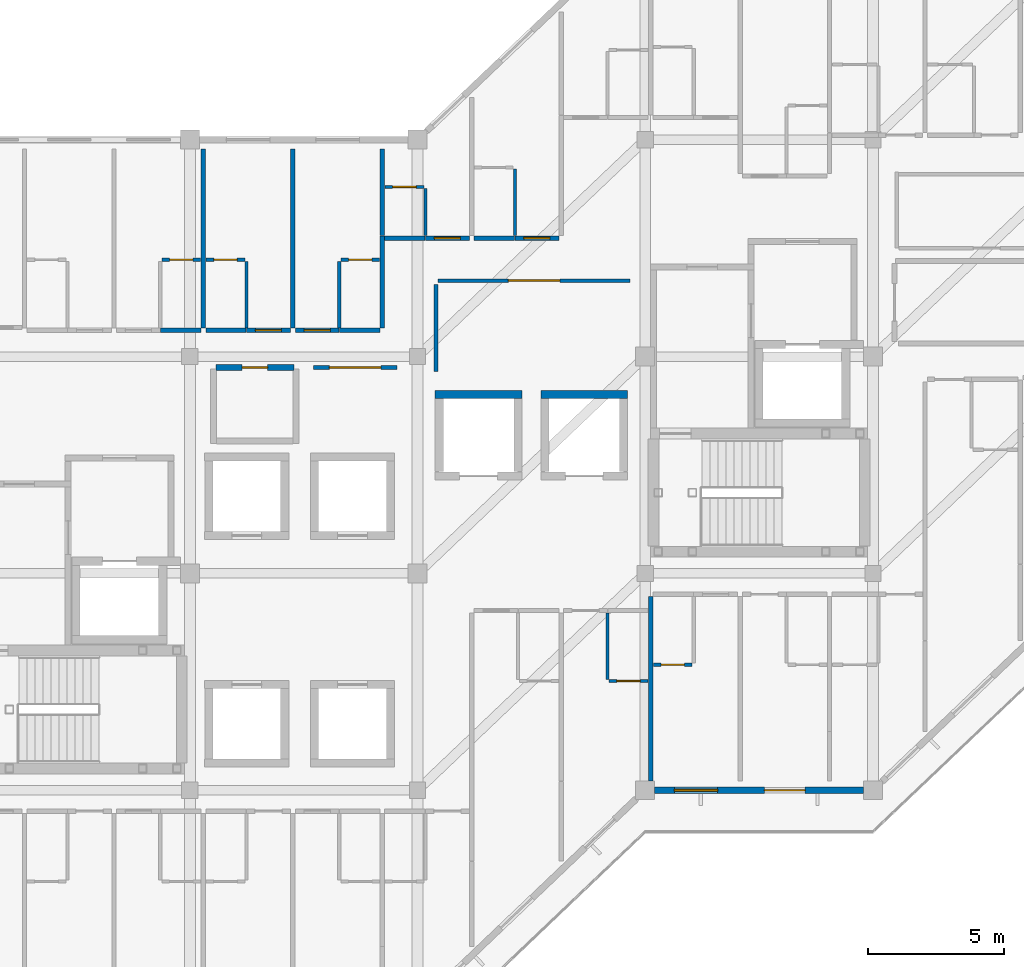
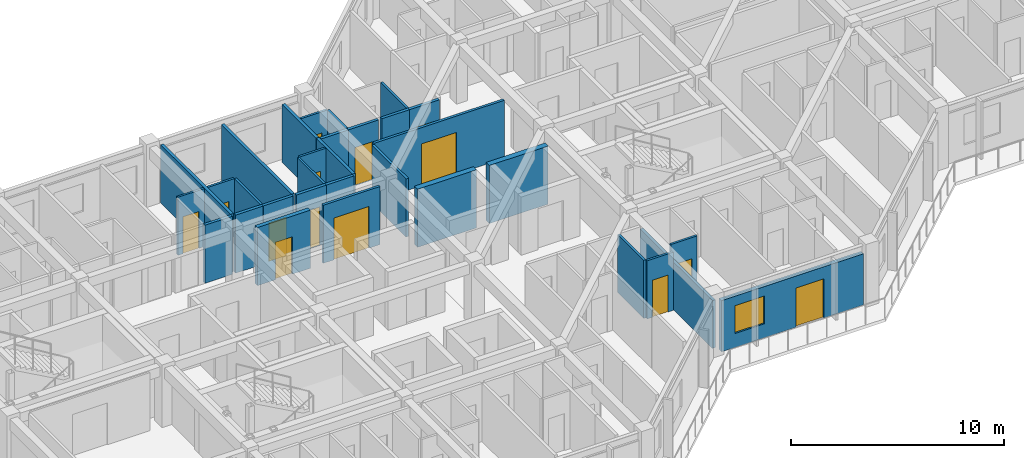
# One storey, part 8 of 15: 32 walls, 14 doors, 1 window, 15 openings.
"""IFC4 building model written with IfcOpenShell, lengths in metres."""

import ifcopenshell
import ifcopenshell.guid

model = None  # the IFC model being written
_history = None  # IfcOwnerHistory: only IFC2X3 demands one
_inside = {}  # id of a spatial element -> (the spatial element, [elements in it])
_under = {}  # id of a project, library or spatial element -> (it, [spatial elements below it])
_declared = {}  # id of a project -> (the project, [libraries it declares])
_typed = {}  # id of a type object -> (the type object, [elements of that type])
_made_of = {}  # id of a material, layer set ... -> (it, [elements and type objects made of it])


def new_model(schema):
    """Start an empty IFC model of exactly this schema.

    Asked for "IFC4X3", IfcOpenShell would pick the latest addendum, in which some entities
    have other attributes; the version numbers below select the first issue.
    IFC2X3 requires an IfcOwnerHistory on every rooted entity: one is made here for all.
    """
    global model, _history
    if schema == "IFC4X3":
        model = ifcopenshell.file(schema_version=(4, 3, 0, 0))
    else:
        model = ifcopenshell.file(schema=schema)
    _inside.clear()
    _under.clear()
    _declared.clear()
    _typed.clear()
    _made_of.clear()
    _history = None
    if model.schema == "IFC2X3":
        org = make("IfcOrganization", Name="unknown")
        user = make(
            "IfcPersonAndOrganization",
            ThePerson=make("IfcPerson", FamilyName="unknown"),
            TheOrganization=org,
        )
        app = make(
            "IfcApplication",
            ApplicationDeveloper=org,
            Version="unknown",
            ApplicationFullName="unknown",
            ApplicationIdentifier="unknown",
        )
        _history = make(
            "IfcOwnerHistory",
            OwningUser=user,
            OwningApplication=app,
            ChangeAction="ADDED",
            CreationDate=0,
        )
    return model


def make(cls, **values):
    """One entity of the class cls with the attributes given. An attribute that is None is left unset."""
    return model.create_entity(
        cls, **{name: value for name, value in values.items() if value is not None}
    )


def rooted(cls, **values):
    """An entity with a GlobalId (a new one), such as an element, a storey or a relation."""
    return make(cls, GlobalId=ifcopenshell.guid.new(), OwnerHistory=_history, **values)


def si_unit(unit_type, name, prefix=None):
    """IfcSIUnit, for example si_unit("LENGTHUNIT", "METRE", prefix="MILLI")."""
    return make("IfcSIUnit", UnitType=unit_type, Prefix=prefix, Name=name)


def assignment(units):
    """IfcUnitAssignment: the units of a project."""
    return None if units is None else make("IfcUnitAssignment", Units=units)


def point(xyz):
    """IfcCartesianPoint."""
    return None if xyz is None else make("IfcCartesianPoint", Coordinates=xyz)


def direction(xyz):
    """IfcDirection."""
    return None if xyz is None else make("IfcDirection", DirectionRatios=xyz)


def frame(location, z_axis=None, x_axis=None):
    """IfcAxis2Placement3D, a coordinate frame: its origin and axes. An axis left out is left unset."""
    return make(
        "IfcAxis2Placement3D",
        Location=point(location),
        Axis=direction(z_axis),
        RefDirection=direction(x_axis),
    )


def frame_2d(location, x_axis=None):
    """IfcAxis2Placement2D, a coordinate frame in the plane: its origin and x axis."""
    return make(
        "IfcAxis2Placement2D", Location=point(location), RefDirection=direction(x_axis)
    )


def origin():
    """The frame at (0, 0, 0) with its axes left unset."""
    return frame((0.0, 0.0, 0.0))


def place(relative_to, where):
    """IfcLocalPlacement: puts the frame where relative to a parent placement (None: the world)."""
    return make(
        "IfcLocalPlacement", PlacementRelTo=relative_to, RelativePlacement=where
    )


def context(
    kind, dimensions, precision=None, world=None, true_north=None, identifier=None
):
    """IfcGeometricRepresentationContext, for example the 3D "Model" context."""
    return make(
        "IfcGeometricRepresentationContext",
        ContextIdentifier=identifier,
        ContextType=kind,
        CoordinateSpaceDimension=dimensions,
        Precision=precision,
        WorldCoordinateSystem=world,
        TrueNorth=true_north,
    )


def subcontext(parent, identifier, kind, view, scale=None):
    """IfcGeometricRepresentationSubContext, for example "Body" below "Model"."""
    return make(
        "IfcGeometricRepresentationSubContext",
        ContextIdentifier=identifier,
        ContextType=kind,
        ParentContext=parent,
        TargetScale=scale,
        TargetView=view,
    )


def project(units=None, contexts=None):
    """IfcProject with its units and contexts."""
    return rooted(
        "IfcProject",
        Name="project",
        RepresentationContexts=contexts,
        UnitsInContext=assignment(units),
    )


def spatial(cls, under=None, at=None, **own):
    """A site, building, storey or space (cls), placed at a placement, below another one or the project."""
    s = rooted(cls, ObjectPlacement=at, **own)
    if under is not None:
        _under.setdefault(under.id(), (under, []))[1].append(s)
    return s


def profile(cls, at=None, kind="AREA", **sizes):
    """A parametric profile (cls). Its sizes go by their IFC names, for example OverallWidth=200.0."""
    return make(cls, ProfileType=kind, Position=at, **sizes)


def rectangle(**sizes):
    """IfcRectangleProfileDef."""
    return profile("IfcRectangleProfileDef", **sizes)


def extrude(swept, where, along, depth):
    """IfcExtrudedAreaSolid: the profile swept, set in the frame where, extruded along a direction by depth."""
    return make(
        "IfcExtrudedAreaSolid",
        SweptArea=swept,
        Position=where,
        ExtrudedDirection=direction(along),
        Depth=depth,
    )


def shape(context_of_items, identifier, shape_type, items):
    """IfcShapeRepresentation: the items that make up one representation, for example the "Body"."""
    return make(
        "IfcShapeRepresentation",
        ContextOfItems=context_of_items,
        RepresentationIdentifier=identifier,
        RepresentationType=shape_type,
        Items=items,
    )


def material(Name=None, Category=None):
    """IfcMaterial."""
    return make("IfcMaterial", Name=Name, Category=Category)


def layer(
    of_material, thickness, ventilated=None, Name=None, Category=None, Priority=None
):
    """IfcMaterialLayer: one layer of a wall or slab, of a material (None: an air gap)."""
    return make(
        "IfcMaterialLayer",
        Material=of_material,
        LayerThickness=thickness,
        IsVentilated=ventilated,
        Name=Name,
        Category=Category,
        Priority=Priority,
    )


def layer_set(layers, Name=None):
    """IfcMaterialLayerSet."""
    return make("IfcMaterialLayerSet", MaterialLayers=layers, LayerSetName=Name)


def made_of(thing, what):
    """Note that an element or type object is made of a material, layer set ...; save() writes the relation."""
    if what is not None:
        _made_of.setdefault(what.id(), (what, []))[1].append(thing)
    return thing


def type_object(cls, material=None, **own):
    """A type object (cls), such as IfcWallType, which elements share."""
    return made_of(rooted(cls, **own), material)


def element(
    cls,
    number,
    at=None,
    inside=None,
    cuts=None,
    type_object=None,
    material=None,
    context=None,
    identifier="Body",
    shape_type=None,
    held_by="IfcProductDefinitionShape",
    body=None,
    shapes=None,
    **own,
):
    """One element of the class cls, such as IfcWall. Its Tag is "e" and its number.

    at: its placement. inside: the storey or other place that contains it. cuts: it is an
    opening in that element (IfcRelVoidsElement). A single representation is given by context,
    identifier, shape_type and body (its items); several are given by shapes. held_by: the class
    of the entity that holds the representations. save() writes the other relations.
    """
    e = rooted(cls, Tag="e%d" % number, ObjectPlacement=at, **own)
    if body is not None:
        shapes = [shape(context, identifier, shape_type, body)]
    if shapes is not None:
        e.Representation = make(held_by, Representations=shapes)
    if inside is not None:
        _inside.setdefault(inside.id(), (inside, []))[1].append(e)
    if cuts is not None:
        rooted(
            "IfcRelVoidsElement", RelatingBuildingElement=cuts, RelatedOpeningElement=e
        )
    if type_object is not None:
        _typed.setdefault(type_object.id(), (type_object, []))[1].append(e)
    return made_of(e, material)


def fill(opening, filler):
    """IfcRelFillsElement: the door or window that sits in an opening."""
    return rooted(
        "IfcRelFillsElement",
        RelatingOpeningElement=opening,
        RelatedBuildingElement=filler,
    )


def aggregate(whole, parts):
    """IfcRelAggregates: a whole, such as a stair, and the parts it consists of."""
    return rooted("IfcRelAggregates", RelatingObject=whole, RelatedObjects=parts)


def save(model, path):
    """Write the relations noted so far, then the file.

    IfcRelAggregates (storeys below a building ...), IfcRelContainedInSpatialStructure (elements
    in a storey), IfcRelDefinesByType, IfcRelAssociatesMaterial and IfcRelDeclares: one each for
    every whole, place, type object, material and project.
    """
    for whole, parts in _under.values():
        aggregate(whole, parts)
    for where, things in _inside.values():
        rooted(
            "IfcRelContainedInSpatialStructure",
            RelatedElements=things,
            RelatingStructure=where,
        )
    for kind, things in _typed.values():
        rooted("IfcRelDefinesByType", RelatedObjects=things, RelatingType=kind)
    for what, things in _made_of.values():
        rooted("IfcRelAssociatesMaterial", RelatedObjects=things, RelatingMaterial=what)
    for by, libraries in _declared.values():
        rooted("IfcRelDeclares", RelatingContext=by, RelatedDefinitions=libraries)
    model.write(path)


model = new_model("IFC4")

# Units and contexts
model_context = context("Model", 3, precision=1e-05, world=origin(), true_north=direction((0.0, 1.0)))
body_context = subcontext(model_context, "Body", "Model", "MODEL_VIEW")
ifc_project = project(units=[si_unit("LENGTHUNIT", "METRE"), si_unit("AREAUNIT", "SQUARE_METRE"), si_unit("VOLUMEUNIT", "CUBIC_METRE"), si_unit("PLANEANGLEUNIT", "RADIAN"), si_unit("MASSUNIT", "GRAM", prefix="KILO")], contexts=[model_context])

# Site, building, storey
site_placement = place(None, origin())
site = spatial("IfcSite", under=ifc_project, at=site_placement, CompositionType="ELEMENT")
building_placement = place(site_placement, origin())
building = spatial("IfcBuilding", under=site, at=building_placement, Name="Naruveol Harbour Congress Hotel", CompositionType="ELEMENT")
storey_placement = place(building_placement, frame((0.0, 0.0, 32.39990234375)))
storey = spatial("IfcBuildingStorey", under=building, at=storey_placement, Name="L07", CompositionType="ELEMENT", Elevation=32.39990234375)

# Wall, opening, door
ifc_material_1 = material(Name="Acoustic Double Stud Gypsum", Category="gypsum")
ifc_layer_1 = layer(ifc_material_1, 0.139892578125)
ifc_layer_set_1 = layer_set([ifc_layer_1], Name="Acoustic Double Stud Gypsum")
wall_type_1 = type_object("IfcWallType", Name="ACOUSTIC MEETING PARTITION WALL 140", PredefinedType="PARTITIONING", material=ifc_layer_set_1)
wall_1_placement = place(storey_placement, frame((138.9599609375, 23.60009765625, 0.0), z_axis=(0.0, 0.0, 1.0), x_axis=(1.0, 0.0, 0.0)))
wall_1 = element("IfcWall", 1, at=wall_1_placement, inside=storey, type_object=wall_type_1, Name="Wellness Reading Salon north entry wall PW-140", PredefinedType="PARTITIONING", context=body_context, shape_type="SweptSolid", body=[
    extrude(rectangle(XDim=3.080078125, YDim=0.139892578125, at=frame_2d((1.5400390625, 0.0))), origin(), (0.0, 0.0, 1.0), 3.335205078125),
])
opening_1_placement = place(wall_1_placement, frame((0.590087890625, 0.0, 0.0)))
opening_1 = element("IfcOpeningElement", 2, at=opening_1_placement, cuts=wall_1, Name="Opening ID-LG-115", PredefinedType="OPENING", context=body_context, shape_type="SweptSolid", body=[
    extrude(rectangle(XDim=1.89990234375, YDim=2.39990234375, at=frame_2d((0.949951171875, 1.199951171875))), frame((0.0, 0.079833984375, 0.0), z_axis=(0.0, -1.0, 0.0), x_axis=(1.0, 0.0, 0.0)), (0.0, 0.0, 1.0), 0.159912109375),
])
ifc_material_2 = material(Name="Timber & Steel Acoustic Leaf", Category="steel")
door_type_1 = type_object("IfcDoorType", Name="RESTAURANT AND LOUNGE GLAZED DOOR 1900X2400", OperationType="DOUBLE_DOOR_SINGLE_SWING", PredefinedType="DOOR", material=ifc_material_2)
door_1_placement = place(opening_1_placement, origin())
door_1 = element("IfcDoor", 3, at=door_1_placement, inside=storey, type_object=door_type_1, Name="Wellness Reading Salon Entrance Door", OperationType="DOUBLE_DOOR_SINGLE_SWING", OverallHeight=2.39990234375, OverallWidth=1.89990234375, PredefinedType="DOOR", context=body_context, shape_type="SweptSolid", body=[
    extrude(rectangle(XDim=1.89990234375, YDim=2.39990234375, at=frame_2d((0.949951171875, 1.199951171875))), frame((0.0, 0.02490234375, 0.0), z_axis=(0.0, -1.0, 0.0), x_axis=(1.0, 0.0, 0.0)), (0.0, 0.0, 1.0), 0.050048828125),
])
fill(opening_1, door_1)

wall_2_placement = place(storey_placement, frame((143.56005859375, 26.800048828125, 0.0), z_axis=(0.0, 0.0, 1.0), x_axis=(1.0, 0.0, 0.0)))
wall_2 = element("IfcWall", 4, at=wall_2_placement, inside=storey, type_object=wall_type_1, Name="Harbour Study Salon north entry wall PW-140", PredefinedType="PARTITIONING", context=body_context, shape_type="SweptSolid", body=[
    extrude(rectangle(XDim=7.079833984375, YDim=0.139892578125, at=frame_2d((3.5400390625, 0.0))), origin(), (0.0, 0.0, 1.0), 3.335205078125),
])
opening_2_placement = place(wall_2_placement, frame((2.590087890625, 0.0, 0.0)))
opening_2 = element("IfcOpeningElement", 5, at=opening_2_placement, cuts=wall_2, Name="Opening ID-LG-120", PredefinedType="OPENING", context=body_context, shape_type="SweptSolid", body=[
    extrude(rectangle(XDim=1.89990234375, YDim=2.39990234375, at=frame_2d((0.949951171875, 1.199951171875))), frame((0.0, 0.079833984375, 0.0), z_axis=(0.0, -1.0, 0.0), x_axis=(1.0, 0.0, 0.0)), (0.0, 0.0, 1.0), 0.159912109375),
])
door_2_placement = place(opening_2_placement, origin())
door_2 = element("IfcDoor", 6, at=door_2_placement, inside=storey, type_object=door_type_1, Name="Harbour Study Salon Entrance Door", OperationType="DOUBLE_DOOR_SINGLE_SWING", OverallHeight=2.39990234375, OverallWidth=1.89990234375, PredefinedType="DOOR", context=body_context, shape_type="SweptSolid", body=[
    extrude(rectangle(XDim=1.89990234375, YDim=2.39990234375, at=frame_2d((0.949951171875, 1.199951171875))), frame((0.0, 0.02490234375, 0.0), z_axis=(0.0, -1.0, 0.0), x_axis=(1.0, 0.0, 0.0)), (0.0, 0.0, 1.0), 0.050048828125),
])
fill(opening_2, door_2)

# Wall
wall_3_placement = place(storey_placement, frame((143.47998046875, 23.449951171875, 0.0), z_axis=(0.0, 0.0, 1.0), x_axis=(0.0, 1.0, 0.0)))
element("IfcWall", 7, at=wall_3_placement, inside=storey, type_object=wall_type_1, Name="Harbour Study Salon west partition PW-140", PredefinedType="PARTITIONING", context=body_context, shape_type="SweptSolid", body=[
    extrude(rectangle(XDim=3.2099609375, YDim=0.139892578125, at=frame_2d((1.60498046875, 0.0))), origin(), (0.0, 0.0, 1.0), 3.335205078125),
])

# Wall, opening, door
ifc_material_3 = material(Name="Moisture-Resistant Gypsum Partition", Category="gypsum")
ifc_layer_2 = layer(ifc_material_3, 0.114990234375)
ifc_layer_set_2 = layer_set([ifc_layer_2], Name="Moisture-Resistant Gypsum Partition")
wall_type_2 = type_object("IfcWallType", Name="BATHROOM MOISTURE PARTITION WALL 115", PredefinedType="PARTITIONING", material=ifc_layer_set_2)
wall_4_placement = place(storey_placement, frame((133.3701171875, 27.570068359375, 0.0), z_axis=(0.0, 0.0, 1.0), x_axis=(1.0, 0.0, 0.0)))
wall_4 = element("IfcWall", 8, at=wall_4_placement, inside=storey, type_object=wall_type_2, Name="Bathroom north wall 0808 PW-115", PredefinedType="PARTITIONING", context=body_context, shape_type="SweptSolid", body=[
    extrude(rectangle(XDim=1.429931640625, YDim=0.114990234375, at=frame_2d((0.71484375, 0.0))), origin(), (0.0, 0.0, 1.0), 3.335205078125),
])
opening_3_placement = place(wall_4_placement, frame((0.284912109375, 0.0, 0.0)))
opening_3 = element("IfcOpeningElement", 9, at=opening_3_placement, cuts=wall_4, Name="Opening BD-RM0808", PredefinedType="OPENING", context=body_context, shape_type="SweptSolid", body=[
    extrude(rectangle(XDim=0.860107421875, YDim=2.1201171875, at=frame_2d((0.43017578125, 1.06005859375))), frame((0.0, 0.0673828125, 0.0), z_axis=(0.0, -1.0, 0.0), x_axis=(1.0, 0.0, 0.0)), (0.0, 0.0, 1.0), 0.135009765625),
])
ifc_material_4 = material(Name="Timber & Steel Acoustic Leaf", Category="steel")
door_type_2 = type_object("IfcDoorType", Name="GUEST BATHROOM DOOR 860X2120", OperationType="NOTDEFINED", PredefinedType="DOOR", material=ifc_material_4)
door_3_placement = place(opening_3_placement, origin())
door_3 = element("IfcDoor", 10, at=door_3_placement, inside=storey, type_object=door_type_2, Name="Bathroom Door 0808", OperationType="SINGLE_SWING_RIGHT", OverallHeight=2.1201171875, OverallWidth=0.860107421875, PredefinedType="DOOR", context=body_context, shape_type="SweptSolid", body=[
    extrude(rectangle(XDim=0.860107421875, YDim=2.1201171875, at=frame_2d((0.43017578125, 1.06005859375))), frame((0.0, 0.02490234375, 0.0), z_axis=(0.0, -1.0, 0.0), x_axis=(1.0, 0.0, 0.0)), (0.0, 0.0, 1.0), 0.050048828125),
])
fill(opening_3, door_3)

# Wall
wall_5_placement = place(storey_placement, frame((136.489990234375, 25.06005859375, 0.0), z_axis=(0.0, 0.0, 1.0), x_axis=(0.0, 1.0, 0.0)))
element("IfcWall", 11, at=wall_5_placement, inside=storey, type_object=wall_type_2, Name="Bathroom east wall 0809 PW-115", PredefinedType="PARTITIONING", context=body_context, shape_type="SweptSolid", body=[
    extrude(rectangle(XDim=2.449951171875, YDim=0.114990234375, at=frame_2d((1.22509765625, 0.0))), origin(), (0.0, 0.0, 1.0), 3.335205078125),
])

# Wall, opening, door
wall_6_placement = place(storey_placement, frame((135.0, 27.570068359375, 0.0), z_axis=(0.0, 0.0, 1.0), x_axis=(1.0, 0.0, 0.0)))
wall_6 = element("IfcWall", 12, at=wall_6_placement, inside=storey, type_object=wall_type_2, Name="Bathroom north wall 0809 PW-115", PredefinedType="PARTITIONING", context=body_context, shape_type="SweptSolid", body=[
    extrude(rectangle(XDim=1.429931640625, YDim=0.114990234375, at=frame_2d((0.71484375, 0.0))), origin(), (0.0, 0.0, 1.0), 3.335205078125),
])
opening_4_placement = place(wall_6_placement, frame((0.284912109375, 0.0, 0.0)))
opening_4 = element("IfcOpeningElement", 13, at=opening_4_placement, cuts=wall_6, Name="Opening BD-RM0809", PredefinedType="OPENING", context=body_context, shape_type="SweptSolid", body=[
    extrude(rectangle(XDim=0.860107421875, YDim=2.1201171875, at=frame_2d((0.43017578125, 1.06005859375))), frame((0.0, 0.0673828125, 0.0), z_axis=(0.0, -1.0, 0.0), x_axis=(1.0, 0.0, 0.0)), (0.0, 0.0, 1.0), 0.135009765625),
])
door_4_placement = place(opening_4_placement, origin())
door_4 = element("IfcDoor", 14, at=door_4_placement, inside=storey, type_object=door_type_2, Name="Bathroom Door 0809", OperationType="SINGLE_SWING_RIGHT", OverallHeight=2.1201171875, OverallWidth=0.860107421875, PredefinedType="DOOR", context=body_context, shape_type="SweptSolid", body=[
    extrude(rectangle(XDim=0.860107421875, YDim=2.1201171875, at=frame_2d((0.43017578125, 1.06005859375))), frame((0.0, 0.02490234375, 0.0), z_axis=(0.0, -1.0, 0.0), x_axis=(1.0, 0.0, 0.0)), (0.0, 0.0, 1.0), 0.050048828125),
])
fill(opening_4, door_4)

# Wall
wall_7_placement = place(storey_placement, frame((139.909912109375, 25.06005859375, 0.0), z_axis=(0.0, 0.0, 1.0), x_axis=(0.0, 1.0, 0.0)))
element("IfcWall", 15, at=wall_7_placement, inside=storey, type_object=wall_type_2, Name="Bathroom west wall 0810 PW-115", PredefinedType="PARTITIONING", context=body_context, shape_type="SweptSolid", body=[
    extrude(rectangle(XDim=2.449951171875, YDim=0.114990234375, at=frame_2d((1.22509765625, 0.0))), origin(), (0.0, 0.0, 1.0), 3.335205078125),
])

# Wall, opening, door
wall_8_placement = place(storey_placement, frame((139.969970703125, 27.570068359375, 0.0), z_axis=(0.0, 0.0, 1.0), x_axis=(1.0, 0.0, 0.0)))
wall_8 = element("IfcWall", 16, at=wall_8_placement, inside=storey, type_object=wall_type_2, Name="Bathroom north wall 0810 PW-115", PredefinedType="PARTITIONING", context=body_context, shape_type="SweptSolid", body=[
    extrude(rectangle(XDim=1.429931640625, YDim=0.114990234375, at=frame_2d((0.71484375, 0.0))), origin(), (0.0, 0.0, 1.0), 3.335205078125),
])
opening_5_placement = place(wall_8_placement, frame((0.284912109375, 0.0, 0.0)))
opening_5 = element("IfcOpeningElement", 17, at=opening_5_placement, cuts=wall_8, Name="Opening BD-RM0810", PredefinedType="OPENING", context=body_context, shape_type="SweptSolid", body=[
    extrude(rectangle(XDim=0.860107421875, YDim=2.1201171875, at=frame_2d((0.43017578125, 1.06005859375))), frame((0.0, 0.0673828125, 0.0), z_axis=(0.0, -1.0, 0.0), x_axis=(1.0, 0.0, 0.0)), (0.0, 0.0, 1.0), 0.135009765625),
])
door_5_placement = place(opening_5_placement, origin())
door_5 = element("IfcDoor", 18, at=door_5_placement, inside=storey, type_object=door_type_2, Name="Bathroom Door 0810", OperationType="SINGLE_SWING_RIGHT", OverallHeight=2.1201171875, OverallWidth=0.860107421875, PredefinedType="DOOR", context=body_context, shape_type="SweptSolid", body=[
    extrude(rectangle(XDim=0.860107421875, YDim=2.1201171875, at=frame_2d((0.43017578125, 1.06005859375))), frame((0.0, 0.02490234375, 0.0), z_axis=(0.0, -1.0, 0.0), x_axis=(1.0, 0.0, 0.0)), (0.0, 0.0, 1.0), 0.050048828125),
])
fill(opening_5, door_5)

# Wall
wall_9_placement = place(storey_placement, frame((143.090087890625, 28.4599609375, 0.0), z_axis=(0.0, 0.0, 1.0), x_axis=(0.0, 1.0, 0.0)))
element("IfcWall", 19, at=wall_9_placement, inside=storey, type_object=wall_type_2, Name="Bathroom east wall 0811 PW-115", PredefinedType="PARTITIONING", context=body_context, shape_type="SweptSolid", body=[
    extrude(rectangle(XDim=1.739990234375, YDim=0.114990234375, at=frame_2d((0.8701171875, 0.0))), origin(), (0.0, 0.0, 1.0), 3.335205078125),
])

# Wall, opening, door
wall_10_placement = place(storey_placement, frame((141.60009765625, 30.260009765625, 0.0), z_axis=(0.0, 0.0, 1.0), x_axis=(1.0, 0.0, 0.0)))
wall_10 = element("IfcWall", 20, at=wall_10_placement, inside=storey, type_object=wall_type_2, Name="Bathroom north wall 0811 PW-115", PredefinedType="PARTITIONING", context=body_context, shape_type="SweptSolid", body=[
    extrude(rectangle(XDim=1.429931640625, YDim=0.114990234375, at=frame_2d((0.71484375, 0.0))), origin(), (0.0, 0.0, 1.0), 3.335205078125),
])
opening_6_placement = place(wall_10_placement, frame((0.284912109375, 0.0, 0.0)))
opening_6 = element("IfcOpeningElement", 21, at=opening_6_placement, cuts=wall_10, Name="Opening BD-RM0811", PredefinedType="OPENING", context=body_context, shape_type="SweptSolid", body=[
    extrude(rectangle(XDim=0.860107421875, YDim=2.1201171875, at=frame_2d((0.43017578125, 1.06005859375))), frame((0.0, 0.0673828125, 0.0), z_axis=(0.0, -1.0, 0.0), x_axis=(1.0, 0.0, 0.0)), (0.0, 0.0, 1.0), 0.135009765625),
])
door_6_placement = place(opening_6_placement, origin())
door_6 = element("IfcDoor", 22, at=door_6_placement, inside=storey, type_object=door_type_2, Name="Bathroom Door 0811", OperationType="SINGLE_SWING_RIGHT", OverallHeight=2.1201171875, OverallWidth=0.860107421875, PredefinedType="DOOR", context=body_context, shape_type="SweptSolid", body=[
    extrude(rectangle(XDim=0.860107421875, YDim=2.1201171875, at=frame_2d((0.43017578125, 1.06005859375))), frame((0.0, 0.02490234375, 0.0), z_axis=(0.0, -1.0, 0.0), x_axis=(1.0, 0.0, 0.0)), (0.0, 0.0, 1.0), 0.050048828125),
])
fill(opening_6, door_6)

# Walls
for number, where, z_axis, x_axis, name in (
    (23, (146.389892578125, 28.4599609375, 0.0), (0.0, 0.0, 1.0), (0.0, 1.0, 0.0), "Bathroom east wall 0812 PW-115"),
    (24, (149.81005859375, 12.090087890625, 0.0), (0.0, 0.0, 1.0), (0.0, 1.0, 0.0), "Bathroom west wall 0896 PW-115"),
):
    element("IfcWall", number, at=place(storey_placement, frame(where, z_axis=z_axis, x_axis=x_axis)), inside=storey, type_object=wall_type_2, Name=name, PredefinedType="PARTITIONING", context=body_context, shape_type="SweptSolid", body=[
        extrude(rectangle(XDim=2.449951171875, YDim=0.114990234375, at=frame_2d((1.22509765625, 0.0))), origin(), (0.0, 0.0, 1.0), 3.335205078125),
    ])

# Wall, opening, door
wall_11_placement = place(storey_placement, frame((149.8701171875, 12.030029296875, 0.0), z_axis=(0.0, 0.0, 1.0), x_axis=(1.0, 0.0, 0.0)))
wall_11 = element("IfcWall", 25, at=wall_11_placement, inside=storey, type_object=wall_type_2, Name="Bathroom south wall 0896 PW-115", PredefinedType="PARTITIONING", context=body_context, shape_type="SweptSolid", body=[
    extrude(rectangle(XDim=1.429931640625, YDim=0.114990234375, at=frame_2d((0.71484375, 0.0))), origin(), (0.0, 0.0, 1.0), 3.335205078125),
])
opening_7_placement = place(wall_11_placement, frame((0.284912109375, 0.0, 0.0)))
opening_7 = element("IfcOpeningElement", 26, at=opening_7_placement, cuts=wall_11, Name="Opening BD-RM0896", PredefinedType="OPENING", context=body_context, shape_type="SweptSolid", body=[
    extrude(rectangle(XDim=0.860107421875, YDim=2.1201171875, at=frame_2d((0.43017578125, 1.06005859375))), frame((0.0, 0.0673828125, 0.0), z_axis=(0.0, -1.0, 0.0), x_axis=(1.0, 0.0, 0.0)), (0.0, 0.0, 1.0), 0.135009765625),
])
door_7_placement = place(opening_7_placement, origin())
door_7 = element("IfcDoor", 27, at=door_7_placement, inside=storey, type_object=door_type_2, Name="Bathroom Door 0896", OperationType="SINGLE_SWING_RIGHT", OverallHeight=2.1201171875, OverallWidth=0.860107421875, PredefinedType="DOOR", context=body_context, shape_type="SweptSolid", body=[
    extrude(rectangle(XDim=0.860107421875, YDim=2.1201171875, at=frame_2d((0.43017578125, 1.06005859375))), frame((0.0, 0.02490234375, 0.0), z_axis=(0.0, -1.0, 0.0), x_axis=(1.0, 0.0, 0.0)), (0.0, 0.0, 1.0), 0.050048828125),
])
fill(opening_7, door_7)

wall_12_placement = place(storey_placement, frame((151.5, 12.6298828125, 0.0), z_axis=(0.0, 0.0, 1.0), x_axis=(1.0, 0.0, 0.0)))
wall_12 = element("IfcWall", 28, at=wall_12_placement, inside=storey, type_object=wall_type_2, Name="Bathroom south wall 0897 PW-115", PredefinedType="PARTITIONING", context=body_context, shape_type="SweptSolid", body=[
    extrude(rectangle(XDim=1.429931640625, YDim=0.114990234375, at=frame_2d((0.71484375, 0.0))), origin(), (0.0, 0.0, 1.0), 3.335205078125),
])
opening_8_placement = place(wall_12_placement, frame((0.284912109375, 0.0, 0.0)))
opening_8 = element("IfcOpeningElement", 29, at=opening_8_placement, cuts=wall_12, Name="Opening BD-RM0897", PredefinedType="OPENING", context=body_context, shape_type="SweptSolid", body=[
    extrude(rectangle(XDim=0.860107421875, YDim=2.1201171875, at=frame_2d((0.43017578125, 1.06005859375))), frame((0.0, 0.0673828125, 0.0), z_axis=(0.0, -1.0, 0.0), x_axis=(1.0, 0.0, 0.0)), (0.0, 0.0, 1.0), 0.135009765625),
])
door_8_placement = place(opening_8_placement, origin())
door_8 = element("IfcDoor", 30, at=door_8_placement, inside=storey, type_object=door_type_2, Name="Bathroom Door 0897", OperationType="SINGLE_SWING_RIGHT", OverallHeight=2.1201171875, OverallWidth=0.860107421875, PredefinedType="DOOR", context=body_context, shape_type="SweptSolid", body=[
    extrude(rectangle(XDim=0.860107421875, YDim=2.1201171875, at=frame_2d((0.43017578125, 1.06005859375))), frame((0.0, 0.02490234375, 0.0), z_axis=(0.0, -1.0, 0.0), x_axis=(1.0, 0.0, 0.0)), (0.0, 0.0, 1.0), 0.050048828125),
])
fill(opening_8, door_8)

ifc_material_5 = material(Name="Concrete C40/50", Category="concrete")
ifc_layer_3 = layer(ifc_material_5, 0.219970703125)
ifc_layer_set_3 = layer_set([ifc_layer_3], Name="Concrete C40/50")
wall_type_3 = type_object("IfcWallType", Name="FIRE COMPARTMENT AND LOBBY WALL 220 EI120", PredefinedType="PARTITIONING", material=ifc_layer_set_3)
wall_13_placement = place(storey_placement, frame((135.360107421875, 23.60009765625, 0.0), z_axis=(0.0, 0.0, 1.0), x_axis=(1.0, 0.0, 0.0)))
wall_13 = element("IfcWall", 31, at=wall_13_placement, inside=storey, type_object=wall_type_3, Name="Housekeeping Pantry north entry wall FW-220", PredefinedType="PARTITIONING", context=body_context, shape_type="SweptSolid", body=[
    extrude(rectangle(XDim=2.8798828125, YDim=0.219970703125, at=frame_2d((1.43994140625, 0.0))), origin(), (0.0, 0.0, 1.0), 3.335205078125),
])
opening_9_placement = place(wall_13_placement, frame((0.969970703125, 0.0, 0.0)))
opening_9 = element("IfcOpeningElement", 32, at=opening_9_placement, cuts=wall_13, Name="Opening FD-ST-119", PredefinedType="OPENING", context=body_context, shape_type="SweptSolid", body=[
    extrude(rectangle(XDim=0.93994140625, YDim=2.14990234375, at=frame_2d((0.469970703125, 1.074951171875))), frame((0.0, 0.119873046875, 0.0), z_axis=(0.0, -1.0, 0.0), x_axis=(1.0, 0.0, 0.0)), (0.0, 0.0, 1.0), 0.239990234375),
])
ifc_material_6 = material(Name="Timber & Steel Acoustic Leaf", Category="steel")
door_type_3 = type_object("IfcDoorType", Name="HOUSEKEEPING AND STORE FIRE DOOR 940X2150", OperationType="NOTDEFINED", PredefinedType="DOOR", material=ifc_material_6)
door_9_placement = place(opening_9_placement, origin())
door_9 = element("IfcDoor", 33, at=door_9_placement, inside=storey, type_object=door_type_3, Name="Housekeeping Pantry Fire Door", OperationType="SINGLE_SWING_LEFT", OverallHeight=2.14990234375, OverallWidth=0.93994140625, PredefinedType="DOOR", context=body_context, shape_type="SweptSolid", body=[
    extrude(rectangle(XDim=0.93994140625, YDim=2.14990234375, at=frame_2d((0.469970703125, 1.074951171875))), frame((0.0, 0.02490234375, 0.0), z_axis=(0.0, -1.0, 0.0), x_axis=(1.0, 0.0, 0.0)), (0.0, 0.0, 1.0), 0.050048828125),
])
fill(opening_9, door_9)

# Walls
ifc_material_7 = material(Name="Autoclaved Aerated Concrete Block", Category="concrete")
ifc_layer_4 = layer(ifc_material_7, 0.159912109375)
ifc_layer_set_4 = layer_set([ifc_layer_4], Name="Autoclaved Aerated Concrete Block")
wall_type_4 = type_object("IfcWallType", Name="HOTEL PARTY AND CORRIDOR WALL 160 EI60", PredefinedType="PARTITIONING", material=ifc_layer_set_4)
for number, where, z_axis, x_axis, name in (
    (34, (133.320068359375, 24.969970703125, 0.0), (0.0, 0.0, 1.0), (1.0, 0.0, 0.0), "Corridor wall 0808B PW-160"),
    (35, (134.989990234375, 24.969970703125, 0.0), (0.0, 0.0, 1.0), (1.0, 0.0, 0.0), "Corridor wall 0809B PW-160"),
):
    element("IfcWall", number, at=place(storey_placement, frame(where, z_axis=z_axis, x_axis=x_axis)), inside=storey, type_object=wall_type_4, Name=name, PredefinedType="PARTITIONING", context=body_context, shape_type="SweptSolid", body=[
        extrude(rectangle(XDim=1.489990234375, YDim=0.159912109375, at=frame_2d((0.7451171875, 0.0))), origin(), (0.0, 0.0, 1.0), 3.335205078125),
    ])

# Wall, opening, door
wall_14_placement = place(storey_placement, frame((136.489990234375, 24.969970703125, 0.0), z_axis=(0.0, 0.0, 1.0), x_axis=(1.0, 0.0, 0.0)))
wall_14 = element("IfcWall", 36, at=wall_14_placement, inside=storey, type_object=wall_type_4, Name="Corridor entry wall 0809 PW-160", PredefinedType="PARTITIONING", context=body_context, shape_type="SweptSolid", body=[
    extrude(rectangle(XDim=1.6201171875, YDim=0.159912109375, at=frame_2d((0.81005859375, 0.0))), origin(), (0.0, 0.0, 1.0), 3.335205078125),
])
opening_10_placement = place(wall_14_placement, frame((0.330078125, 0.0, 0.0)))
opening_10 = element("IfcOpeningElement", 37, at=opening_10_placement, cuts=wall_14, Name="Opening FD-RM0809", PredefinedType="OPENING", context=body_context, shape_type="SweptSolid", body=[
    extrude(rectangle(XDim=0.9599609375, YDim=2.199951171875, at=frame_2d((0.47998046875, 1.10009765625))), frame((0.0, 0.08984375, 0.0), z_axis=(0.0, -1.0, 0.0), x_axis=(1.0, 0.0, 0.0)), (0.0, 0.0, 1.0), 0.179931640625),
])
ifc_material_8 = material(Name="Timber & Steel Acoustic Leaf", Category="steel")
door_type_4 = type_object("IfcDoorType", Name="GUEST ROOM ENTRANCE FIRE DOOR 960X2200", OperationType="NOTDEFINED", PredefinedType="DOOR", material=ifc_material_8)
door_10_placement = place(opening_10_placement, origin())
door_10 = element("IfcDoor", 38, at=door_10_placement, inside=storey, type_object=door_type_4, Name="Hotel Room Door 0809", OperationType="SINGLE_SWING_LEFT", OverallHeight=2.199951171875, OverallWidth=0.9599609375, PredefinedType="DOOR", context=body_context, shape_type="SweptSolid", body=[
    extrude(rectangle(XDim=0.9599609375, YDim=2.199951171875, at=frame_2d((0.47998046875, 1.10009765625))), frame((0.0, 0.02490234375, 0.0), z_axis=(0.0, -1.0, 0.0), x_axis=(1.0, 0.0, 0.0)), (0.0, 0.0, 1.0), 0.050048828125),
])
fill(opening_10, door_10)

# Wall
wall_15_placement = place(storey_placement, frame((134.89990234375, 25.06005859375, 0.0), z_axis=(0.0, 0.0, 1.0), x_axis=(0.0, 1.0, 0.0)))
element("IfcWall", 39, at=wall_15_placement, inside=storey, type_object=wall_type_4, Name="Hotel party wall 0809 PW-160", PredefinedType="PARTITIONING", context=body_context, shape_type="SweptSolid", body=[
    extrude(rectangle(XDim=6.599853515625, YDim=0.159912109375, at=frame_2d((3.2998046875, 0.0))), origin(), (0.0, 0.0, 1.0), 3.335205078125),
])

# Wall, opening, door
wall_16_placement = place(storey_placement, frame((138.2900390625, 24.969970703125, 0.0), z_axis=(0.0, 0.0, 1.0), x_axis=(1.0, 0.0, 0.0)))
wall_16 = element("IfcWall", 40, at=wall_16_placement, inside=storey, type_object=wall_type_4, Name="Corridor entry wall 0810 PW-160", PredefinedType="PARTITIONING", context=body_context, shape_type="SweptSolid", body=[
    extrude(rectangle(XDim=1.619873046875, YDim=0.159912109375, at=frame_2d((0.81005859375, 0.0))), origin(), (0.0, 0.0, 1.0), 3.335205078125),
])
opening_11_placement = place(wall_16_placement, frame((0.330078125, 0.0, 0.0)))
opening_11 = element("IfcOpeningElement", 41, at=opening_11_placement, cuts=wall_16, Name="Opening FD-RM0810", PredefinedType="OPENING", context=body_context, shape_type="SweptSolid", body=[
    extrude(rectangle(XDim=0.9599609375, YDim=2.199951171875, at=frame_2d((0.47998046875, 1.10009765625))), frame((0.0, 0.08984375, 0.0), z_axis=(0.0, -1.0, 0.0), x_axis=(1.0, 0.0, 0.0)), (0.0, 0.0, 1.0), 0.179931640625),
])
door_11_placement = place(opening_11_placement, origin())
door_11 = element("IfcDoor", 42, at=door_11_placement, inside=storey, type_object=door_type_4, Name="Hotel Room Door 0810", OperationType="SINGLE_SWING_LEFT", OverallHeight=2.199951171875, OverallWidth=0.9599609375, PredefinedType="DOOR", context=body_context, shape_type="SweptSolid", body=[
    extrude(rectangle(XDim=0.9599609375, YDim=2.199951171875, at=frame_2d((0.47998046875, 1.10009765625))), frame((0.0, 0.02490234375, 0.0), z_axis=(0.0, -1.0, 0.0), x_axis=(1.0, 0.0, 0.0)), (0.0, 0.0, 1.0), 0.050048828125),
])
fill(opening_11, door_11)

# Walls
wall_17_placement = place(storey_placement, frame((139.919921875, 24.969970703125, 0.0), z_axis=(0.0, 0.0, 1.0), x_axis=(1.0, 0.0, 0.0)))
element("IfcWall", 43, at=wall_17_placement, inside=storey, type_object=wall_type_4, Name="Corridor wall 0810B PW-160", PredefinedType="PARTITIONING", context=body_context, shape_type="SweptSolid", body=[
    extrude(rectangle(XDim=1.489990234375, YDim=0.159912109375, at=frame_2d((0.7451171875, 0.0))), origin(), (0.0, 0.0, 1.0), 3.335205078125),
])
wall_18_placement = place(storey_placement, frame((138.199951171875, 25.06005859375, 0.0), z_axis=(0.0, 0.0, 1.0), x_axis=(0.0, 1.0, 0.0)))
element("IfcWall", 44, at=wall_18_placement, inside=storey, type_object=wall_type_4, Name="Hotel party wall 0810 PW-160", PredefinedType="PARTITIONING", context=body_context, shape_type="SweptSolid", body=[
    extrude(rectangle(XDim=6.599853515625, YDim=0.159912109375, at=frame_2d((3.2998046875, 0.0))), origin(), (0.0, 0.0, 1.0), 3.335205078125),
])
wall_19_placement = place(storey_placement, frame((141.5, 25.06005859375, 0.0), z_axis=(0.0, 0.0, 1.0), x_axis=(0.0, 1.0, 0.0)))
element("IfcWall", 45, at=wall_19_placement, inside=storey, type_object=wall_type_4, Name="Hotel end party wall 0810 PW-160", PredefinedType="PARTITIONING", context=body_context, shape_type="SweptSolid", body=[
    extrude(rectangle(XDim=3.389892578125, YDim=0.159912109375, at=frame_2d((1.69482421875, 0.0))), origin(), (0.0, 0.0, 1.0), 3.335205078125),
])
wall_20_placement = place(storey_placement, frame((141.590087890625, 28.3701171875, 0.0), z_axis=(0.0, 0.0, 1.0), x_axis=(1.0, 0.0, 0.0)))
element("IfcWall", 46, at=wall_20_placement, inside=storey, type_object=wall_type_4, Name="Corridor wall 0811B PW-160", PredefinedType="PARTITIONING", context=body_context, shape_type="SweptSolid", body=[
    extrude(rectangle(XDim=1.489990234375, YDim=0.159912109375, at=frame_2d((0.7451171875, 0.0))), origin(), (0.0, 0.0, 1.0), 3.335205078125),
])

# Wall, opening, door
wall_21_placement = place(storey_placement, frame((143.090087890625, 28.3701171875, 0.0), z_axis=(0.0, 0.0, 1.0), x_axis=(1.0, 0.0, 0.0)))
wall_21 = element("IfcWall", 47, at=wall_21_placement, inside=storey, type_object=wall_type_4, Name="Corridor entry wall 0811 PW-160", PredefinedType="PARTITIONING", context=body_context, shape_type="SweptSolid", body=[
    extrude(rectangle(XDim=1.619873046875, YDim=0.159912109375, at=frame_2d((0.81005859375, 0.0))), origin(), (0.0, 0.0, 1.0), 3.335205078125),
])
opening_12_placement = place(wall_21_placement, frame((0.330078125, 0.0, 0.0)))
opening_12 = element("IfcOpeningElement", 48, at=opening_12_placement, cuts=wall_21, Name="Opening FD-RM0811", PredefinedType="OPENING", context=body_context, shape_type="SweptSolid", body=[
    extrude(rectangle(XDim=0.9599609375, YDim=2.199951171875, at=frame_2d((0.47998046875, 1.10009765625))), frame((0.0, 0.08984375, 0.0), z_axis=(0.0, -1.0, 0.0), x_axis=(1.0, 0.0, 0.0)), (0.0, 0.0, 1.0), 0.179931640625),
])
door_12_placement = place(opening_12_placement, origin())
door_12 = element("IfcDoor", 49, at=door_12_placement, inside=storey, type_object=door_type_4, Name="Hotel Room Door 0811", OperationType="SINGLE_SWING_LEFT", OverallHeight=2.199951171875, OverallWidth=0.9599609375, PredefinedType="DOOR", context=body_context, shape_type="SweptSolid", body=[
    extrude(rectangle(XDim=0.9599609375, YDim=2.199951171875, at=frame_2d((0.47998046875, 1.10009765625))), frame((0.0, 0.02490234375, 0.0), z_axis=(0.0, -1.0, 0.0), x_axis=(1.0, 0.0, 0.0)), (0.0, 0.0, 1.0), 0.050048828125),
])
fill(opening_12, door_12)

# Walls
wall_22_placement = place(storey_placement, frame((141.5, 28.4599609375, 0.0), z_axis=(0.0, 0.0, 1.0), x_axis=(0.0, 1.0, 0.0)))
element("IfcWall", 50, at=wall_22_placement, inside=storey, type_object=wall_type_4, Name="Hotel party wall 0811 PW-160", PredefinedType="PARTITIONING", context=body_context, shape_type="SweptSolid", body=[
    extrude(rectangle(XDim=3.199951171875, YDim=0.159912109375, at=frame_2d((1.60009765625, 0.0))), origin(), (0.0, 0.0, 1.0), 3.335205078125),
])
wall_23_placement = place(storey_placement, frame((144.889892578125, 28.3701171875, 0.0), z_axis=(0.0, 0.0, 1.0), x_axis=(1.0, 0.0, 0.0)))
element("IfcWall", 51, at=wall_23_placement, inside=storey, type_object=wall_type_4, Name="Corridor wall 0812B PW-160", PredefinedType="PARTITIONING", context=body_context, shape_type="SweptSolid", body=[
    extrude(rectangle(XDim=1.489990234375, YDim=0.159912109375, at=frame_2d((0.7451171875, 0.0))), origin(), (0.0, 0.0, 1.0), 3.335205078125),
])

# Wall, opening, door
wall_24_placement = place(storey_placement, frame((146.389892578125, 28.3701171875, 0.0), z_axis=(0.0, 0.0, 1.0), x_axis=(1.0, 0.0, 0.0)))
wall_24 = element("IfcWall", 52, at=wall_24_placement, inside=storey, type_object=wall_type_4, Name="Corridor entry wall 0812 PW-160", PredefinedType="PARTITIONING", context=body_context, shape_type="SweptSolid", body=[
    extrude(rectangle(XDim=1.6201171875, YDim=0.159912109375, at=frame_2d((0.81005859375, 0.0))), origin(), (0.0, 0.0, 1.0), 3.335205078125),
])
opening_13_placement = place(wall_24_placement, frame((0.330078125, 0.0, 0.0)))
opening_13 = element("IfcOpeningElement", 53, at=opening_13_placement, cuts=wall_24, Name="Opening FD-RM0812", PredefinedType="OPENING", context=body_context, shape_type="SweptSolid", body=[
    extrude(rectangle(XDim=0.9599609375, YDim=2.199951171875, at=frame_2d((0.47998046875, 1.10009765625))), frame((0.0, 0.08984375, 0.0), z_axis=(0.0, -1.0, 0.0), x_axis=(1.0, 0.0, 0.0)), (0.0, 0.0, 1.0), 0.179931640625),
])
door_13_placement = place(opening_13_placement, origin())
door_13 = element("IfcDoor", 54, at=door_13_placement, inside=storey, type_object=door_type_4, Name="Hotel Room Door 0812", OperationType="SINGLE_SWING_LEFT", OverallHeight=2.199951171875, OverallWidth=0.9599609375, PredefinedType="DOOR", context=body_context, shape_type="SweptSolid", body=[
    extrude(rectangle(XDim=0.9599609375, YDim=2.199951171875, at=frame_2d((0.47998046875, 1.10009765625))), frame((0.0, 0.02490234375, 0.0), z_axis=(0.0, -1.0, 0.0), x_axis=(1.0, 0.0, 0.0)), (0.0, 0.0, 1.0), 0.050048828125),
])
fill(opening_13, door_13)

# Wall
wall_25_placement = place(storey_placement, frame((151.39990234375, 8.340087890625, 0.0), z_axis=(0.0, 0.0, 1.0), x_axis=(0.0, 1.0, 0.0)))
element("IfcWall", 55, at=wall_25_placement, inside=storey, type_object=wall_type_4, Name="Hotel party wall 0897 PW-160", PredefinedType="PARTITIONING", context=body_context, shape_type="SweptSolid", body=[
    extrude(rectangle(XDim=6.7998046875, YDim=0.159912109375, at=frame_2d((3.39990234375, 0.0))), origin(), (0.0, 0.0, 1.0), 2.739990234375),
])

# Wall, openings, window, door
ifc_material_9 = material(Name="Concrete C40/50", Category="concrete")
ifc_layer_5 = layer(ifc_material_9, 0.239990234375)
ifc_layer_set_5 = layer_set([ifc_layer_5], Name="Concrete C40/50")
wall_type_5 = type_object("IfcWallType", Name="INSULATED HOTEL SPANDREL WALL 240", PredefinedType="SOLIDWALL", material=ifc_layer_set_5)
wall_26_placement = place(storey_placement, frame((159.25, 8.0, 0.0), z_axis=(0.0, 0.0, 1.0), x_axis=(-1.0, 0.0, 0.0)))
wall_26 = element("IfcWall", 56, at=wall_26_placement, inside=storey, type_object=wall_type_5, Name="Hotel south waterfront wall L07 EW-240", PredefinedType="SOLIDWALL", context=body_context, shape_type="SweptSolid", body=[
    extrude(rectangle(XDim=7.699951171875, YDim=0.239990234375, at=frame_2d((3.85009765625, 0.0))), origin(), (0.0, 0.0, 1.0), 2.940185546875),
])
opening_14_placement = place(wall_26_placement, frame((2.14990234375, 0.0, 0.0)))
opening_14 = element("IfcOpeningElement", 57, at=opening_14_placement, cuts=wall_26, Name="Opening BD-150-058", PredefinedType="OPENING", context=body_context, shape_type="SweptSolid", body=[
    extrude(rectangle(XDim=1.5, YDim=2.25, at=frame_2d((0.75, 1.125))), frame((0.0, 0.1298828125, 0.0), z_axis=(0.0, -1.0, 0.0), x_axis=(1.0, 0.0, 0.0)), (0.0, 0.0, 1.0), 0.260009765625),
])
opening_15_placement = place(wall_26_placement, frame((5.375, 0.0, 0.800048828125)))
opening_15 = element("IfcOpeningElement", 58, at=opening_15_placement, cuts=wall_26, Name="Opening W-03", PredefinedType="OPENING", context=body_context, shape_type="SweptSolid", body=[
    extrude(rectangle(XDim=1.60009765625, YDim=1.60009765625, at=frame_2d((0.800048828125, 0.800048828125))), frame((0.0, 0.1298828125, 0.0), z_axis=(0.0, -1.0, 0.0), x_axis=(1.0, 0.0, 0.0)), (0.0, 0.0, 1.0), 0.260009765625),
])
ifc_material_10 = material(Name="Low-E Triple Glazing in Thermal Aluminium", Category="aluminium")
window_type = type_object("IfcWindowType", Name="DELUXE GUEST WINDOW 1600X1600", PartitioningType="SINGLE_PANEL", PredefinedType="WINDOW", material=ifc_material_10)
window_placement = place(opening_15_placement, origin())
window = element("IfcWindow", 59, at=window_placement, inside=storey, type_object=window_type, Name="Window W-03 #396", OverallHeight=1.60009765625, OverallWidth=1.60009765625, PartitioningType="SINGLE_PANEL", PredefinedType="WINDOW", context=body_context, shape_type="SweptSolid", body=[
    extrude(rectangle(XDim=1.60009765625, YDim=1.60009765625, at=frame_2d((0.800048828125, 0.800048828125))), frame((0.0, 0.030029296875, 0.0), z_axis=(0.0, -1.0, 0.0), x_axis=(1.0, 0.0, 0.0)), (0.0, 0.0, 1.0), 0.06005859375),
])
fill(opening_15, window)
ifc_material_11 = material(Name="Powder-Coated Steel & Insulated Glazing", Category="steel")
door_type_5 = type_object("IfcDoorType", Name="SUITE BALCONY SLIDING DOOR 1500X2250", OperationType="SLIDING_TO_LEFT", PredefinedType="DOOR", material=ifc_material_11)
door_14_placement = place(opening_14_placement, origin())
door_14 = element("IfcDoor", 60, at=door_14_placement, inside=storey, type_object=door_type_5, Name="Exterior door BD-150-058", OperationType="SLIDING_TO_LEFT", OverallHeight=2.25, OverallWidth=1.5, PredefinedType="DOOR", context=body_context, shape_type="SweptSolid", body=[
    extrude(rectangle(XDim=1.5, YDim=2.25, at=frame_2d((0.75, 1.125))), frame((0.0, 0.02490234375, 0.0), z_axis=(0.0, -1.0, 0.0), x_axis=(1.0, 0.0, 0.0)), (0.0, 0.0, 1.0), 0.050048828125),
])
fill(opening_14, door_14)

# Walls
ifc_material_12 = material(Name="Concrete C50/60", Category="concrete")
ifc_layer_6 = layer(ifc_material_12, 0.300048828125)
ifc_layer_set_6 = layer_set([ifc_layer_6], Name="Concrete C50/60")
wall_type_6 = type_object("IfcWallType", Name="RC STAIR AND HOISTWAY SHEAR WALL 300 EI120", PredefinedType="SHEAR", material=ifc_layer_set_6)
for number, where, z_axis, x_axis, name in (
    (61, (146.64990234375, 22.60009765625, 0.0), (0.0, 0.0, 1.0), (-1.0, 0.0, 0.0), "Hoistway north shear wall GL1 SW-300"),
    (62, (150.550048828125, 22.60009765625, 0.0), (0.0, 0.0, 1.0), (-1.0, 0.0, 0.0), "Hoistway north shear wall GL2 SW-300"),
):
    element("IfcWall", number, at=place(storey_placement, frame(where, z_axis=z_axis, x_axis=x_axis)), inside=storey, type_object=wall_type_6, Name=name, PredefinedType="SHEAR", context=body_context, shape_type="SweptSolid", body=[
        extrude(rectangle(XDim=3.199951171875, YDim=0.300048828125, at=frame_2d((1.60009765625, 0.0))), origin(), (0.0, 0.0, 1.0), 3.335205078125),
    ])

save(model, "model.ifc")
